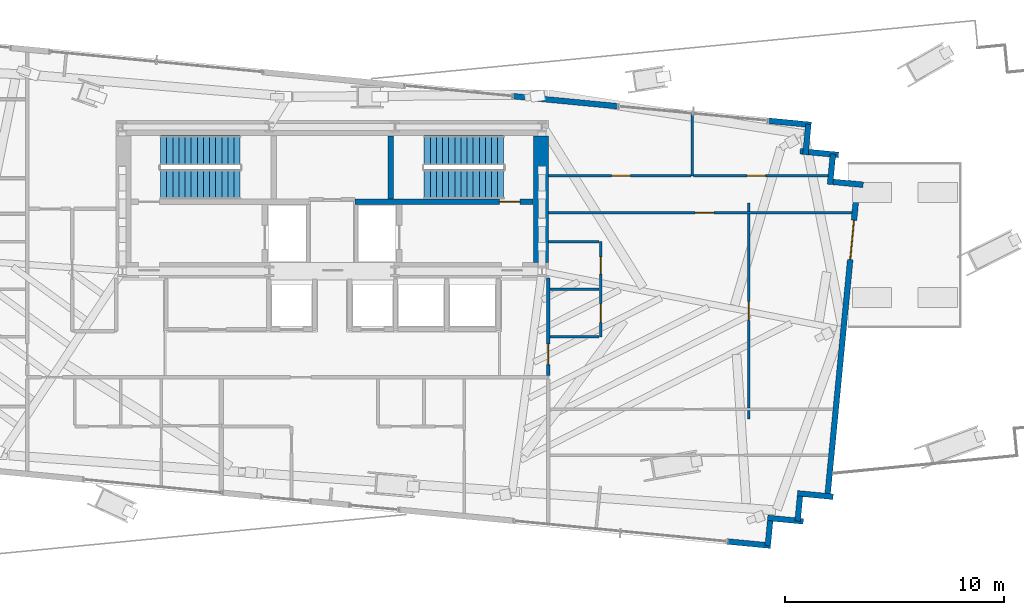
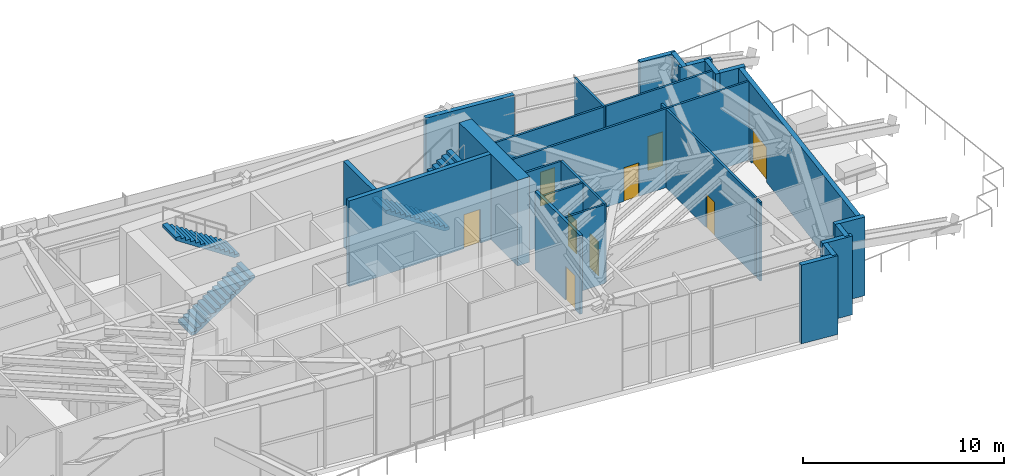
# One storey, part 19 of 23: 27 walls, 9 doors, 4 stair flights, 9 openings, 2 elements without a shape of their own.
"""IFC4 building model written with IfcOpenShell, lengths in metres."""

from ifc_helpers import new_model, si_unit, direction, frame, frame_2d, origin, place, context, subcontext, project, spatial, polyline, rectangle, outline, extrude, source, transform, mapped, material, layer, layer_set, type_object, type_shapes, element, fill, aggregate, save


model = new_model("IFC4")

# Units and contexts
model_context = context("Model", 3, precision=1e-05, world=origin(), true_north=direction((0.0, 1.0)))
body_context = subcontext(model_context, "Body", "Model", "MODEL_VIEW")
ifc_project = project(units=[si_unit("LENGTHUNIT", "METRE"), si_unit("AREAUNIT", "SQUARE_METRE"), si_unit("VOLUMEUNIT", "CUBIC_METRE"), si_unit("PLANEANGLEUNIT", "RADIAN"), si_unit("MASSUNIT", "GRAM", prefix="KILO")], contexts=[model_context])

# Site, building, storey
site_placement = place(None, origin())
site = spatial("IfcSite", under=ifc_project, at=site_placement, CompositionType="ELEMENT")
building_placement = place(site_placement, origin())
building = spatial("IfcBuilding", under=site, at=building_placement, Name="Astriad Promenade Condominiums", CompositionType="ELEMENT")
storey_placement = place(building_placement, frame((0.0, 0.0, 119.39990234375)))
storey = spatial("IfcBuildingStorey", under=building, at=storey_placement, Name="L34", CompositionType="ELEMENT", Elevation=119.39990234375)

# Wall
ifc_material_1 = material(Name="Concrete C60/75", Category="concrete")
ifc_layer_1 = layer(ifc_material_1, 0.699951171875)
ifc_layer_set_1 = layer_set([ifc_layer_1], Name="Concrete C60/75")
wall_type_1 = type_object("IfcWallType", Name="CW-SHEAR-700", PredefinedType="SHEAR", material=ifc_layer_set_1)
wall_1_placement = place(storey_placement, frame((45.550048828125, 17.802001953125, 0.0), z_axis=(0.0, 0.0, 1.0), x_axis=(0.0, 1.0, 0.0)))
element("IfcWall", 1, at=wall_1_placement, inside=storey, type_object=wall_type_1, Name="CW-CORE-E-L34", PredefinedType="SHEAR", context=body_context, shape_type="SweptSolid", body=[
    extrude(rectangle(XDim=5.7958984375, YDim=0.699951171875, at=frame_2d((2.89794921875, 0.0))), origin(), (0.0, 0.0, 1.0), 5.2001953125),
])

# Wall, opening, door
ifc_material_2 = material(Name="Concrete C50/60", Category="concrete")
ifc_layer_2 = layer(ifc_material_2, 0.25)
ifc_layer_set_2 = layer_set([ifc_layer_2], Name="Concrete C50/60")
wall_type_2 = type_object("IfcWallType", Name="WALL-CORE-INT-250", PredefinedType="SOLIDWALL", material=ifc_layer_set_2)
wall_2_placement = place(storey_placement, frame((37.050048828125, 20.574951171875, 0.0), z_axis=(0.0, 0.0, 1.0), x_axis=(1.0, 0.0, 0.0)))
wall_2 = element("IfcWall", 2, at=wall_2_placement, inside=storey, type_object=wall_type_2, Name="CW-INT-H2-L34", PredefinedType="SOLIDWALL", context=body_context, shape_type="SweptSolid", body=[
    extrude(rectangle(XDim=8.14794921875, YDim=0.25, at=frame_2d((4.073974609375, 0.0))), origin(), (0.0, 0.0, 1.0), 5.2001953125),
])
opening_1_placement = place(wall_2_placement, frame((6.60009765625, 0.0, 0.0)))
opening_1 = element("IfcOpeningElement", 3, at=opening_1_placement, cuts=wall_2, Name="Opening FD90-ST-095", PredefinedType="OPENING", context=body_context, shape_type="SweptSolid", body=[
    extrude(rectangle(XDim=0.949951171875, YDim=2.06005859375, at=frame_2d((0.47509765625, 1.030029296875))), frame((0.0, 0.135009765625, 0.0), z_axis=(0.0, -1.0, 0.0), x_axis=(1.0, 0.0, 0.0)), (0.0, 0.0, 1.0), 0.27001953125),
])
ifc_material_3 = material(Name="Fire-Rated Hollow Metal Stair Door")
door_type_1 = type_object("IfcDoorType", Name="FD90-ST-095", OperationType="NOTDEFINED", PredefinedType="DOOR", material=ifc_material_3)
shared_shape_1 = source(origin(), body_context, "Body", "SweptSolid", [
    extrude(rectangle(XDim=0.949951171875, YDim=2.06005859375, at=frame_2d((0.47509765625, 1.030029296875))), frame((0.0, 0.02490234375, 0.0), z_axis=(0.0, -1.0, 0.0), x_axis=(1.0, 0.0, 0.0)), (0.0, 0.0, 1.0), 0.050048828125),
])
type_shapes(door_type_1, [shared_shape_1])
door_1_placement = place(opening_1_placement, origin())
door_1 = element("IfcDoor", 4, at=door_1_placement, inside=storey, type_object=door_type_1, Name="D-ST2-L34", OperationType="SINGLE_SWING_LEFT", OverallHeight=2.06005859375, OverallWidth=0.949951171875, PredefinedType="DOOR", context=body_context, shape_type="MappedRepresentation", body=[
    mapped(shared_shape_1, transform((0.0, 0.0, 0.0), scale=1.0)),
])
fill(opening_1, door_1)

# Wall
wall_3_placement = place(storey_placement, frame((38.675048828125, 20.701904296875, 0.0), z_axis=(0.0, 0.0, 1.0), x_axis=(0.0, 1.0, 0.0)))
element("IfcWall", 5, at=wall_3_placement, inside=storey, type_object=wall_type_2, Name="CW-ST2-W-L34", PredefinedType="SOLIDWALL", context=body_context, shape_type="SweptSolid", body=[
    extrude(rectangle(XDim=2.89599609375, YDim=0.25, at=frame_2d((1.447998046875, 0.0))), origin(), (0.0, 0.0, 1.0), 5.2001953125),
])

# Wall, opening, door
ifc_material_4 = material(Name="Fire-Rated Gypsum Partition")
ifc_layer_3 = layer(ifc_material_4, 0.159912109375)
ifc_layer_set_3 = layer_set([ifc_layer_3], Name="Fire-Rated Gypsum Partition")
wall_type_3 = type_object("IfcWallType", Name="WALL-CORR-160", PredefinedType="PARTITIONING", material=ifc_layer_set_3)
wall_4_placement = place(storey_placement, frame((45.8798828125, 12.632080078125, 0.0), z_axis=(0.0, 0.0, 1.0), x_axis=(0.0, 1.0, 0.0)))
wall_4 = element("IfcWall", 6, at=wall_4_placement, inside=storey, type_object=wall_type_3, Name="PT-COR-E-L34-S2", PredefinedType="PARTITIONING", context=body_context, shape_type="SweptSolid", body=[
    extrude(rectangle(XDim=4.4658203125, YDim=0.159912109375, at=frame_2d((2.23291015625, 0.0))), origin(), (0.0, 0.0, 1.0), 4.780029296875),
])
opening_2_placement = place(wall_4_placement, frame((0.492919921875, 0.0, 0.0)))
opening_2 = element("IfcOpeningElement", 7, at=opening_2_placement, cuts=wall_4, Name="Opening FD60-APT-095", PredefinedType="OPENING", context=body_context, shape_type="SweptSolid", body=[
    extrude(rectangle(XDim=0.949951171875, YDim=2.06005859375, at=frame_2d((0.47509765625, 1.030029296875))), frame((0.0, 0.08984375, 0.0), z_axis=(0.0, -1.0, 0.0), x_axis=(1.0, 0.0, 0.0)), (0.0, 0.0, 1.0), 0.179931640625),
])
ifc_material_5 = material(Name="Solid-Core Acoustic Timber Residence Entry Door", Category="wood")
door_type_2 = type_object("IfcDoorType", Name="FD60-APT-095", OperationType="NOTDEFINED", PredefinedType="DOOR", material=ifc_material_5)
shared_shape_2 = source(origin(), body_context, "Body", "SweptSolid", [
    extrude(rectangle(XDim=0.949951171875, YDim=2.06005859375, at=frame_2d((0.47509765625, 1.030029296875))), frame((0.0, 0.02490234375, 0.0), z_axis=(0.0, -1.0, 0.0), x_axis=(1.0, 0.0, 0.0)), (0.0, 0.0, 1.0), 0.050048828125),
])
type_shapes(door_type_2, [shared_shape_2])
door_2_placement = place(opening_2_placement, origin())
door_2 = element("IfcDoor", 8, at=door_2_placement, inside=storey, type_object=door_type_2, Name="D-ENT-L34-E1", OperationType="SINGLE_SWING_LEFT", OverallHeight=2.06005859375, OverallWidth=0.949951171875, PredefinedType="DOOR", context=body_context, shape_type="MappedRepresentation", body=[
    mapped(shared_shape_2, transform((0.0, 0.0, 0.0), scale=1.0)),
])
fill(opening_2, door_2)

# Walls
ifc_material_6 = material(Name="Precast concrete C50/60", Category="concrete")
ifc_layer_4 = layer(ifc_material_6, 0.260009765625)
ifc_layer_set_4 = layer_set([ifc_layer_4], Name="Precast concrete C50/60")
wall_type_4 = type_object("IfcWallType", Name="WALL-EXT-TWR-260", PredefinedType="STANDARD", material=ifc_layer_set_4)
wall_5_placement = place(storey_placement, frame((44.26806640625, 25.410400390625, 0.0), z_axis=(0.0, 0.0, 1.0), x_axis=(0.995396292684, -0.095844772998, 0.0)))
element("IfcWall", 9, at=wall_5_placement, inside=storey, type_object=wall_type_4, Name="W-SGCOL-L34-N-4", PredefinedType="STANDARD", context=body_context, shape_type="SweptSolid", body=[
    extrude(rectangle(XDim=4.849853515625, YDim=0.260009765625, at=frame_2d((2.4248046875, 0.0))), origin(), (0.0, 0.0, 1.0), 4.780029296875),
])
wall_6_placement = place(storey_placement, frame((55.92431640625, 24.2880859375, 0.0), z_axis=(0.0, 0.0, 1.0), x_axis=(0.995396717965, -0.095840356139, 0.0)))
element("IfcWall", 10, at=wall_6_placement, inside=storey, type_object=wall_type_4, Name="W-SGCOL-L34-N-5", PredefinedType="STANDARD", context=body_context, shape_type="SweptSolid", body=[
    extrude(rectangle(XDim=1.999755859375, YDim=0.260009765625, at=frame_2d((1.0, 0.0))), origin(), (0.0, 0.0, 1.0), 4.780029296875),
])
wall_7_placement = place(storey_placement, frame((57.787109375, 24.123779296875, 0.0), z_axis=(0.0, 0.0, 1.0), x_axis=(-0.095915846097, -0.995389446633, 0.0)))
element("IfcWall", 11, at=wall_7_placement, inside=storey, type_object=wall_type_4, Name="W-SER-L34-09", PredefinedType="STANDARD", context=body_context, shape_type="SweptSolid", body=[
    extrude(rectangle(XDim=1.394775390625, YDim=0.260009765625, at=frame_2d((0.697265625, 0.0))), origin(), (0.0, 0.0, 1.0), 4.780029296875),
])
wall_8_placement = place(storey_placement, frame((57.407470703125, 22.889404296875, 0.0), z_axis=(0.0, 0.0, 1.0), x_axis=(0.995404477441, -0.095759732096, 0.0)))
element("IfcWall", 12, at=wall_8_placement, inside=storey, type_object=wall_type_4, Name="W-SER-L34-10", PredefinedType="STANDARD", context=body_context, shape_type="SweptSolid", body=[
    extrude(rectangle(XDim=1.769287109375, YDim=0.260009765625, at=frame_2d((0.884765625, 0.0))), origin(), (0.0, 0.0, 1.0), 4.780029296875),
])
for number, where, z_axis, x_axis, name in (
    (13, (58.91162109375, 22.759765625, 0.0), (0.0, 0.0, 1.0), (-0.096072523012, -0.995374336781, 0.0), "W-SER-L34-11"),
    (14, (58.904541015625, 21.489501953125, 0.0), (0.0, 0.0, 1.0), (0.995391056452, -0.09589913835, 0.0), "W-SER-L34-12"),
):
    element("IfcWall", number, at=place(storey_placement, frame(where, z_axis=z_axis, x_axis=x_axis)), inside=storey, type_object=wall_type_4, Name=name, PredefinedType="STANDARD", context=body_context, shape_type="SweptSolid", body=[
        extrude(rectangle(XDim=1.39501953125, YDim=0.260009765625, at=frame_2d((0.697509765625, 0.0))), origin(), (0.0, 0.0, 1.0), 4.780029296875),
    ])

# Wall, opening, door
wall_9_placement = place(storey_placement, frame((60.046875, 21.51025390625, 0.0), z_axis=(0.0, 0.0, 1.0), x_axis=(-0.095849096434, -0.995395876379, 0.0)))
wall_9 = element("IfcWall", 15, at=wall_9_placement, inside=storey, type_object=wall_type_4, Name="W-SG-L34-E", PredefinedType="STANDARD", context=body_context, shape_type="SweptSolid", body=[
    extrude(rectangle(XDim=14.60009765625, YDim=0.260009765625, at=frame_2d((7.300048828125, 0.0))), origin(), (0.0, 0.0, 1.0), 4.780029296875),
])
opening_3_placement = place(wall_9_placement, frame((1.7900390625, 0.0, 0.0)))
opening_3 = element("IfcOpeningElement", 16, at=opening_3_placement, cuts=wall_9, Name="Opening SGD-1823-SKY", PredefinedType="OPENING", context=body_context, shape_type="SweptSolid", body=[
    extrude(rectangle(XDim=1.800048828125, YDim=2.10009765625, at=frame_2d((0.89990234375, 1.050048828125))), frame((0.0, 0.139892578125, 0.0), z_axis=(0.0, -1.0, 0.0), x_axis=(1.0, 0.0, 0.0)), (0.0, 0.0, 1.0), 0.280029296875),
])
ifc_material_7 = material(Name="Thermally Broken Aluminium Sky-Garden Door", Category="aluminium")
door_type_3 = type_object("IfcDoorType", Name="SGD-1823-SKY", OperationType="NOTDEFINED", PredefinedType="DOOR", material=ifc_material_7)
shared_shape_3 = source(origin(), body_context, "Body", "SweptSolid", [
    extrude(rectangle(XDim=1.800048828125, YDim=2.10009765625, at=frame_2d((0.89990234375, 1.050048828125))), frame((0.0, 0.02490234375, 0.0), z_axis=(0.0, -1.0, 0.0), x_axis=(1.0, 0.0, 0.0)), (0.0, 0.0, 1.0), 0.050048828125),
])
type_shapes(door_type_3, [shared_shape_3])
door_3_placement = place(opening_3_placement, origin())
door_3 = element("IfcDoor", 17, at=door_3_placement, inside=storey, type_object=door_type_3, Name="SGD-L34", OperationType="DOUBLE_DOOR_SINGLE_SWING", OverallHeight=2.10009765625, OverallWidth=1.800048828125, PredefinedType="DOOR", context=body_context, shape_type="MappedRepresentation", body=[
    mapped(shared_shape_3, transform((0.0, 0.0, 0.0), scale=1.0)),
])
fill(opening_3, door_3)

# Walls
wall_10_placement = place(storey_placement, frame((58.918701171875, 7.081787109375, 0.0), z_axis=(0.0, 0.0, 1.0), x_axis=(-0.995393194909, 0.095876939504, 0.0)))
element("IfcWall", 18, at=wall_10_placement, inside=storey, type_object=wall_type_4, Name="W-SER-L34-14", PredefinedType="STANDARD", context=body_context, shape_type="SweptSolid", body=[
    extrude(rectangle(XDim=1.639892578125, YDim=0.260009765625, at=frame_2d((0.81982421875, 0.0))), origin(), (0.0, 0.0, 1.0), 4.780029296875),
])
wall_11_placement = place(storey_placement, frame((57.40478515625, 7.112060546875, 0.0), z_axis=(0.0, 0.0, 1.0), x_axis=(-0.095971333708, -0.995384098279, 0.0)))
element("IfcWall", 19, at=wall_11_placement, inside=storey, type_object=wall_type_4, Name="W-SER-L34-15", PredefinedType="STANDARD", context=body_context, shape_type="SweptSolid", body=[
    extrude(rectangle(XDim=1.14990234375, YDim=0.260009765625, at=frame_2d((0.574951171875, 0.0))), origin(), (0.0, 0.0, 1.0), 4.780029296875),
])
wall_12_placement = place(storey_placement, frame((57.5546875, 5.95751953125, 0.0), z_axis=(0.0, 0.0, 1.0), x_axis=(-0.995407392318, 0.095729427649, 0.0)))
element("IfcWall", 20, at=wall_12_placement, inside=storey, type_object=wall_type_4, Name="W-SER-L34-16", PredefinedType="STANDARD", context=body_context, shape_type="SweptSolid", body=[
    extrude(rectangle(XDim=1.639892578125, YDim=0.260009765625, at=frame_2d((0.81982421875, 0.0))), origin(), (0.0, 0.0, 1.0), 4.780029296875),
])
wall_13_placement = place(storey_placement, frame((56.04052734375, 5.98779296875, 0.0), z_axis=(0.0, 0.0, 1.0), x_axis=(-0.095740721699, -0.995406306092, 0.0)))
element("IfcWall", 21, at=wall_13_placement, inside=storey, type_object=wall_type_4, Name="W-SER-L34-17", PredefinedType="STANDARD", context=body_context, shape_type="SweptSolid", body=[
    extrude(rectangle(XDim=1.150146484375, YDim=0.260009765625, at=frame_2d((0.5751953125, 0.0))), origin(), (0.0, 0.0, 1.0), 4.780029296875),
])
wall_14_placement = place(storey_placement, frame((56.061279296875, 4.845458984375, 0.0), z_axis=(0.0, 0.0, 1.0), x_axis=(-0.995397839199, 0.095828710298, 0.0)))
element("IfcWall", 22, at=wall_14_placement, inside=storey, type_object=wall_type_4, Name="W-SGCOL-L34-S-1", PredefinedType="STANDARD", context=body_context, shape_type="SweptSolid", body=[
    extrude(rectangle(XDim=2.0, YDim=0.260009765625, at=frame_2d((1.0, 0.0))), origin(), (0.0, 0.0, 1.0), 4.780029296875),
])

# Wall, openings, doors
ifc_material_8 = material(Name="Acoustic Metal-Stud Gypsum Partition")
ifc_layer_5 = layer(ifc_material_8, 0.1201171875)
ifc_layer_set_5 = layer_set([ifc_layer_5], Name="Acoustic Metal-Stud Gypsum Partition")
wall_type_5 = type_object("IfcWallType", Name="WALL-PART-120", PredefinedType="PARTITIONING", material=ifc_layer_set_5)
wall_15_placement = place(storey_placement, frame((48.280029296875, 14.39990234375, 0.0), z_axis=(0.0, 0.0, 1.0), x_axis=(0.0, 1.0, 0.0)))
wall_15 = element("IfcWall", 23, at=wall_15_placement, inside=storey, type_object=wall_type_5, Name="PT-L34-E1-PV", PredefinedType="PARTITIONING", context=body_context, shape_type="SweptSolid", body=[
    extrude(rectangle(XDim=4.35009765625, YDim=0.1201171875, at=frame_2d((2.175048828125, 0.0))), origin(), (0.0, 0.0, 1.0), 4.780029296875),
])
opening_4_placement = place(wall_15_placement, frame((0.6630859375, 0.0, 0.0)))
opening_4 = element("IfcOpeningElement", 24, at=opening_4_placement, cuts=wall_15, Name="Opening D-INT-085", PredefinedType="OPENING", context=body_context, shape_type="SweptSolid", body=[
    extrude(rectangle(XDim=0.85009765625, YDim=2.050048828125, at=frame_2d((0.425048828125, 1.02490234375))), frame((0.0, 0.070068359375, 0.0), z_axis=(0.0, -1.0, 0.0), x_axis=(1.0, 0.0, 0.0)), (0.0, 0.0, 1.0), 0.14013671875),
])
opening_5_placement = place(wall_15_placement, frame((2.863037109375, 0.0, 0.0)))
opening_5 = element("IfcOpeningElement", 25, at=opening_5_placement, cuts=wall_15, Name="Opening D-WET-080", PredefinedType="OPENING", context=body_context, shape_type="SweptSolid", body=[
    extrude(rectangle(XDim=0.800048828125, YDim=2.02001953125, at=frame_2d((0.39990234375, 1.010009765625))), frame((0.0, 0.070068359375, 0.0), z_axis=(0.0, -1.0, 0.0), x_axis=(1.0, 0.0, 0.0)), (0.0, 0.0, 1.0), 0.14013671875),
])
ifc_material_9 = material(Name="Moisture-Resistant Timber Bathroom Door", Category="wood")
door_type_4 = type_object("IfcDoorType", Name="D-WET-080", OperationType="NOTDEFINED", PredefinedType="DOOR", material=ifc_material_9)
shared_shape_4 = source(origin(), body_context, "Body", "SweptSolid", [
    extrude(rectangle(XDim=0.800048828125, YDim=2.02001953125, at=frame_2d((0.39990234375, 1.010009765625))), frame((0.0, 0.02490234375, 0.0), z_axis=(0.0, -1.0, 0.0), x_axis=(1.0, 0.0, 0.0)), (0.0, 0.0, 1.0), 0.050048828125),
])
type_shapes(door_type_4, [shared_shape_4])
door_4_placement = place(opening_5_placement, origin())
door_4 = element("IfcDoor", 26, at=door_4_placement, inside=storey, type_object=door_type_4, Name="D-BTH-L34-E1", OperationType="SINGLE_SWING_LEFT", OverallHeight=2.02001953125, OverallWidth=0.800048828125, PredefinedType="DOOR", context=body_context, shape_type="MappedRepresentation", body=[
    mapped(shared_shape_4, transform((0.0, 0.0, 0.0), scale=1.0)),
])
fill(opening_5, door_4)
ifc_material_10 = material(Name="Painted Solid-Core Timber Room Door", Category="wood")
door_type_5 = type_object("IfcDoorType", Name="D-INT-085", OperationType="NOTDEFINED", PredefinedType="DOOR", material=ifc_material_10)
shared_shape_5 = source(origin(), body_context, "Body", "SweptSolid", [
    extrude(rectangle(XDim=0.85009765625, YDim=2.050048828125, at=frame_2d((0.425048828125, 1.02490234375))), frame((0.0, 0.02490234375, 0.0), z_axis=(0.0, -1.0, 0.0), x_axis=(1.0, 0.0, 0.0)), (0.0, 0.0, 1.0), 0.050048828125),
])
type_shapes(door_type_5, [shared_shape_5])
door_5_placement = place(opening_4_placement, origin())
door_5 = element("IfcDoor", 27, at=door_5_placement, inside=storey, type_object=door_type_5, Name="D-KIT-L34-E1", OperationType="SINGLE_SWING_RIGHT", OverallHeight=2.050048828125, OverallWidth=0.85009765625, PredefinedType="DOOR", context=body_context, shape_type="MappedRepresentation", body=[
    mapped(shared_shape_5, transform((0.0, 0.0, 0.0), scale=1.0)),
])
fill(opening_4, door_5)

# Walls
for number, where, z_axis, x_axis, name in (
    (28, (45.9619140625, 16.574951171875, 0.0), (0.0, 0.0, 1.0), (1.0, 0.0, 0.0), "PT-L34-E1-PM"),
    (29, (45.9619140625, 14.39990234375, 0.0), (0.0, 0.0, 1.0), (1.0, 0.0, 0.0), "PT-L34-E1-PS"),
):
    element("IfcWall", number, at=place(storey_placement, frame(where, z_axis=z_axis, x_axis=x_axis)), inside=storey, type_object=wall_type_5, Name=name, PredefinedType="PARTITIONING", context=body_context, shape_type="SweptSolid", body=[
        extrude(rectangle(XDim=2.256103515625, YDim=0.1201171875, at=frame_2d((1.1279296875, 0.0))), origin(), (0.0, 0.0, 1.0), 4.780029296875),
    ])
wall_16_placement = place(storey_placement, frame((45.902099609375, 18.75, 0.0), z_axis=(0.0, 0.0, 1.0), x_axis=(1.0, 0.0, 0.0)))
element("IfcWall", 30, at=wall_16_placement, inside=storey, type_object=wall_type_5, Name="PT-L34-E1-PN", PredefinedType="PARTITIONING", context=body_context, shape_type="SweptSolid", body=[
    extrude(rectangle(XDim=2.31591796875, YDim=0.1201171875, at=frame_2d((1.157958984375, 0.0))), origin(), (0.0, 0.0, 1.0), 4.780029296875),
])
wall_17_placement = place(storey_placement, frame((52.472900390625, 21.76806640625, 0.0), z_axis=(0.0, 0.0, 1.0), x_axis=(0.0, 1.0, 0.0)))
element("IfcWall", 31, at=wall_17_placement, inside=storey, type_object=wall_type_5, Name="PT-L34-E1-B1M", PredefinedType="PARTITIONING", context=body_context, shape_type="SweptSolid", body=[
    extrude(rectangle(XDim=2.902587890625, YDim=0.1201171875, at=frame_2d((1.451171875, 0.0))), origin(), (0.0, 0.0, 1.0), 4.780029296875),
])

# Wall, opening, door
wall_18_placement = place(storey_placement, frame((45.902099609375, 21.76806640625, 0.0), z_axis=(0.0, 0.0, 1.0), x_axis=(1.0, 0.0, 0.0)))
wall_18 = element("IfcWall", 32, at=wall_18_placement, inside=storey, type_object=wall_type_5, Name="PT-L34-E1-B1", PredefinedType="PARTITIONING", context=body_context, shape_type="SweptSolid", body=[
    extrude(rectangle(XDim=6.5087890625, YDim=0.1201171875, at=frame_2d((3.25439453125, 0.0))), origin(), (0.0, 0.0, 1.0), 4.780029296875),
])
opening_6_placement = place(wall_18_placement, frame((2.888916015625, 0.0, 0.0)))
opening_6 = element("IfcOpeningElement", 33, at=opening_6_placement, cuts=wall_18, Name="Opening D-INT-085", PredefinedType="OPENING", context=body_context, shape_type="SweptSolid", body=[
    extrude(rectangle(XDim=0.85009765625, YDim=2.050048828125, at=frame_2d((0.425048828125, 1.02490234375))), frame((0.0, 0.070068359375, 0.0), z_axis=(0.0, -1.0, 0.0), x_axis=(1.0, 0.0, 0.0)), (0.0, 0.0, 1.0), 0.14013671875),
])
door_6_placement = place(opening_6_placement, origin())
door_6 = element("IfcDoor", 34, at=door_6_placement, inside=storey, type_object=door_type_5, Name="D-BD1-L34-E1", OperationType="SINGLE_SWING_RIGHT", OverallHeight=2.050048828125, OverallWidth=0.85009765625, PredefinedType="DOOR", context=body_context, shape_type="MappedRepresentation", body=[
    mapped(shared_shape_5, transform((0.0, 0.0, 0.0), scale=1.0)),
])
fill(opening_6, door_6)

wall_19_placement = place(storey_placement, frame((52.534912109375, 21.76806640625, 0.0), z_axis=(0.0, 0.0, 1.0), x_axis=(1.0, 0.0, 0.0)))
wall_19 = element("IfcWall", 35, at=wall_19_placement, inside=storey, type_object=wall_type_5, Name="PT-L34-E1-B1-S2", PredefinedType="PARTITIONING", context=body_context, shape_type="SweptSolid", body=[
    extrude(rectangle(XDim=6.1484375, YDim=0.1201171875, at=frame_2d((3.07421875, 0.0))), origin(), (0.0, 0.0, 1.0), 4.780029296875),
])
opening_7_placement = place(wall_19_placement, frame((2.449951171875, 0.0, 0.0)))
opening_7 = element("IfcOpeningElement", 36, at=opening_7_placement, cuts=wall_19, Name="Opening D-INT-085", PredefinedType="OPENING", context=body_context, shape_type="SweptSolid", body=[
    extrude(rectangle(XDim=0.85009765625, YDim=2.050048828125, at=frame_2d((0.425048828125, 1.02490234375))), frame((0.0, 0.070068359375, 0.0), z_axis=(0.0, -1.0, 0.0), x_axis=(1.0, 0.0, 0.0)), (0.0, 0.0, 1.0), 0.14013671875),
])
door_7_placement = place(opening_7_placement, origin())
door_7 = element("IfcDoor", 37, at=door_7_placement, inside=storey, type_object=door_type_5, Name="D-BD1B-L34-E1", OperationType="SINGLE_SWING_LEFT", OverallHeight=2.050048828125, OverallWidth=0.85009765625, PredefinedType="DOOR", context=body_context, shape_type="MappedRepresentation", body=[
    mapped(shared_shape_5, transform((0.0, 0.0, 0.0), scale=1.0)),
])
fill(opening_7, door_7)

wall_20_placement = place(storey_placement, frame((45.902099609375, 20.0810546875, 0.0), z_axis=(0.0, 0.0, 1.0), x_axis=(1.0, 0.0, 0.0)))
wall_20 = element("IfcWall", 38, at=wall_20_placement, inside=storey, type_object=wall_type_5, Name="PT-L34-E1-WDN3", PredefinedType="PARTITIONING", context=body_context, shape_type="SweptSolid", body=[
    extrude(rectangle(XDim=13.87451171875, YDim=0.1201171875, at=frame_2d((6.937255859375, 0.0))), origin(), (0.0, 0.0, 1.0), 4.780029296875),
])
opening_8_placement = place(wall_20_placement, frame((6.7080078125, 0.0, 0.0)))
opening_8 = element("IfcOpeningElement", 39, at=opening_8_placement, cuts=wall_20, Name="Opening D-INT-085", PredefinedType="OPENING", context=body_context, shape_type="SweptSolid", body=[
    extrude(rectangle(XDim=0.85009765625, YDim=2.050048828125, at=frame_2d((0.425048828125, 1.02490234375))), frame((0.0, 0.070068359375, 0.0), z_axis=(0.0, -1.0, 0.0), x_axis=(1.0, 0.0, 0.0)), (0.0, 0.0, 1.0), 0.14013671875),
])
door_8_placement = place(opening_8_placement, origin())
door_8 = element("IfcDoor", 40, at=door_8_placement, inside=storey, type_object=door_type_5, Name="D-WDN3-L34-E1", OperationType="SINGLE_SWING_RIGHT", OverallHeight=2.050048828125, OverallWidth=0.85009765625, PredefinedType="DOOR", context=body_context, shape_type="MappedRepresentation", body=[
    mapped(shared_shape_5, transform((0.0, 0.0, 0.0), scale=1.0)),
])
fill(opening_8, door_8)

# Wall
wall_21_placement = place(storey_placement, frame((55.06201171875, 10.64111328125, 0.0), z_axis=(0.0, 0.0, 1.0), x_axis=(0.0, 1.0, 0.0)))
element("IfcWall", 41, at=wall_21_placement, inside=storey, type_object=wall_type_5, Name="PT-L34-E1-WDV4", PredefinedType="PARTITIONING", context=body_context, shape_type="SweptSolid", body=[
    extrude(rectangle(XDim=0.3779296875, YDim=0.1201171875, at=frame_2d((0.18896484375, 0.0))), origin(), (0.0, 0.0, 1.0), 4.780029296875),
])

# Wall, opening, door
wall_22_placement = place(storey_placement, frame((55.06201171875, 11.14306640625, 0.0), z_axis=(0.0, 0.0, 1.0), x_axis=(0.0, 1.0, 0.0)))
wall_22 = element("IfcWall", 42, at=wall_22_placement, inside=storey, type_object=wall_type_5, Name="PT-L34-E1-WDV4-S2", PredefinedType="PARTITIONING", context=body_context, shape_type="SweptSolid", body=[
    extrude(rectangle(XDim=8.8759765625, YDim=0.1201171875, at=frame_2d((4.43798828125, 0.0))), origin(), (0.0, 0.0, 1.0), 4.780029296875),
])
opening_9_placement = place(wall_22_placement, frame((4.012939453125, 0.0, 0.0)))
opening_9 = element("IfcOpeningElement", 43, at=opening_9_placement, cuts=wall_22, Name="Opening D-INT-085", PredefinedType="OPENING", context=body_context, shape_type="SweptSolid", body=[
    extrude(rectangle(XDim=0.85009765625, YDim=2.050048828125, at=frame_2d((0.425048828125, 1.02490234375))), frame((0.0, 0.070068359375, 0.0), z_axis=(0.0, -1.0, 0.0), x_axis=(1.0, 0.0, 0.0)), (0.0, 0.0, 1.0), 0.14013671875),
])
door_9_placement = place(opening_9_placement, origin())
door_9 = element("IfcDoor", 44, at=door_9_placement, inside=storey, type_object=door_type_5, Name="D-WDV4-L34-E1", OperationType="SINGLE_SWING_LEFT", OverallHeight=2.050048828125, OverallWidth=0.85009765625, PredefinedType="DOOR", context=body_context, shape_type="MappedRepresentation", body=[
    mapped(shared_shape_5, transform((0.0, 0.0, 0.0), scale=1.0)),
])
fill(opening_9, door_9)

# Wall
wall_23_placement = place(storey_placement, frame((55.06201171875, 20.14306640625, 0.0), z_axis=(0.0, 0.0, 1.0), x_axis=(0.0, 1.0, 0.0)))
element("IfcWall", 45, at=wall_23_placement, inside=storey, type_object=wall_type_5, Name="PT-L34-E1-WDV4-S3", PredefinedType="PARTITIONING", context=body_context, shape_type="SweptSolid", body=[
    extrude(rectangle(XDim=0.3779296875, YDim=0.1201171875, at=frame_2d((0.18896484375, 0.0))), origin(), (0.0, 0.0, 1.0), 4.780029296875),
])

# Stair, stair flights
stair_type = type_object("IfcStairType", Name="STR-CORE-1350", PredefinedType="HALF_TURN_STAIR", material=ifc_material_2)
stair_1_placement = place(storey_placement, origin())
stair_1 = element("IfcStair", 46, at=stair_1_placement, inside=storey, type_object=stair_type, Name="L34 Enclosed Core Exit Stair ST-1", PredefinedType="HALF_TURN_STAIR")
stair_flight_type = type_object("IfcStairFlightType", Name="SFL-CORE-1350", PredefinedType="STRAIGHT", material=ifc_material_2)
shared_shape_6 = source(origin(), body_context, "Body", "SweptSolid", [
    extrude(outline(polyline([(0.0, 0.0), (0.0, 0.185791015625), (0.280029296875, 0.185791015625), (0.280029296875, 0.371337890625), (0.56005859375, 0.371337890625), (0.56005859375, 0.55712890625), (0.840087890625, 0.55712890625), (0.840087890625, 0.742919921875), (1.1201171875, 0.742919921875), (1.1201171875, 0.928466796875), (1.39990234375, 0.928466796875), (1.39990234375, 1.1142578125), (1.679931640625, 1.1142578125), (1.679931640625, 1.300048828125), (1.9599609375, 1.300048828125), (1.9599609375, 1.485595703125), (2.239990234375, 1.485595703125), (2.239990234375, 1.67138671875), (2.52001953125, 1.67138671875), (2.52001953125, 1.857177734375), (2.800048828125, 1.857177734375), (2.800048828125, 2.04296875), (3.080078125, 2.04296875), (3.080078125, 2.228515625), (3.360107421875, 2.228515625), (3.360107421875, 2.414306640625), (3.639892578125, 2.414306640625), (3.639892578125, 2.60009765625), (3.639892578125, 2.234375), (0.271240234375, 0.0), (0.0, 0.0)])), frame((0.0, 0.675048828125, 0.0), z_axis=(0.0, -1.0, 0.0), x_axis=(1.0, 0.0, 0.0)), (0.0, 0.0, 1.0), 1.35009765625),
])
type_shapes(stair_flight_type, [shared_shape_6])
stair_flight_1_placement = place(storey_placement, frame((28.14990234375, 21.375, 0.0), z_axis=(0.0, 0.0, 1.0), x_axis=(1.0, 0.0, 0.0)))
stair_flight_1 = element("IfcStairFlight", 47, at=stair_flight_1_placement, type_object=stair_flight_type, Name="ST-1 flight 1", NumberOfRisers=14, NumberOfTreads=13, PredefinedType="STRAIGHT", RiserHeight=0.185714286, TreadLength=0.28, context=body_context, shape_type="MappedRepresentation", body=[
    mapped(shared_shape_6, transform((0.0, 0.0, 0.0), scale=1.0)),
])
stair_flight_2_placement = place(storey_placement, frame((31.7900390625, 22.925048828125, 2.60009765625), z_axis=(0.0, 0.0, 1.0), x_axis=(-1.0, 0.0, 0.0)))
stair_flight_2 = element("IfcStairFlight", 48, at=stair_flight_2_placement, type_object=stair_flight_type, Name="ST-1 flight 2", NumberOfRisers=14, NumberOfTreads=13, PredefinedType="STRAIGHT", RiserHeight=0.185714286, TreadLength=0.28, context=body_context, shape_type="MappedRepresentation", body=[
    mapped(shared_shape_6, transform((0.0, 0.0, 0.0), scale=1.0)),
])
aggregate(stair_1, [stair_flight_1, stair_flight_2])

stair_2_placement = place(storey_placement, origin())
stair_2 = element("IfcStair", 49, at=stair_2_placement, inside=storey, type_object=stair_type, Name="L34 Enclosed Core Exit Stair ST-2", PredefinedType="HALF_TURN_STAIR")
stair_flight_3_placement = place(storey_placement, frame((43.85009765625, 22.925048828125, 0.0), z_axis=(0.0, 0.0, 1.0), x_axis=(-1.0, 0.0, 0.0)))
stair_flight_3 = element("IfcStairFlight", 50, at=stair_flight_3_placement, type_object=stair_flight_type, Name="ST-2 flight 1", NumberOfRisers=14, NumberOfTreads=13, PredefinedType="STRAIGHT", RiserHeight=0.185714286, TreadLength=0.28, context=body_context, shape_type="MappedRepresentation", body=[
    mapped(shared_shape_6, transform((0.0, 0.0, 0.0), scale=1.0)),
])
stair_flight_4_placement = place(storey_placement, frame((40.2099609375, 21.375, 2.60009765625), z_axis=(0.0, 0.0, 1.0), x_axis=(1.0, 0.0, 0.0)))
stair_flight_4 = element("IfcStairFlight", 51, at=stair_flight_4_placement, type_object=stair_flight_type, Name="ST-2 flight 2", NumberOfRisers=14, NumberOfTreads=13, PredefinedType="STRAIGHT", RiserHeight=0.185714286, TreadLength=0.28, context=body_context, shape_type="MappedRepresentation", body=[
    mapped(shared_shape_6, transform((0.0, 0.0, 0.0), scale=1.0)),
])
aggregate(stair_2, [stair_flight_3, stair_flight_4])

save(model, "model.ifc")
